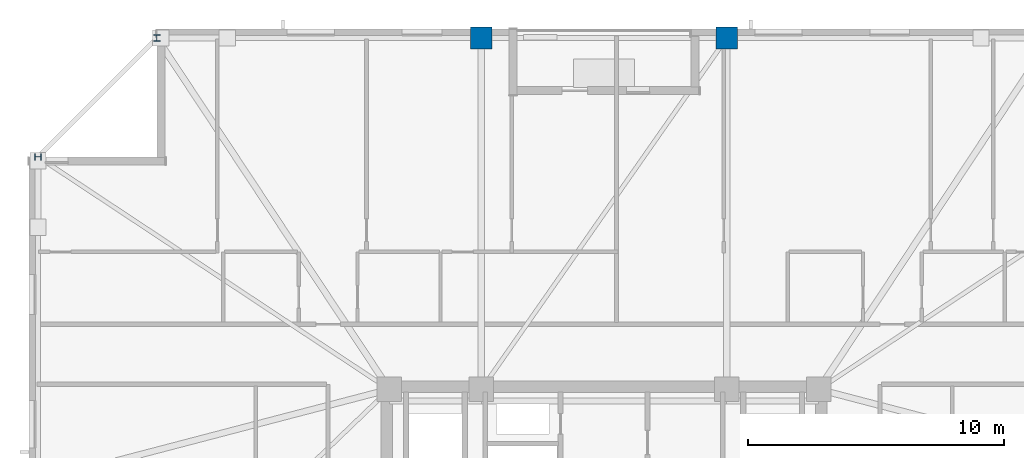
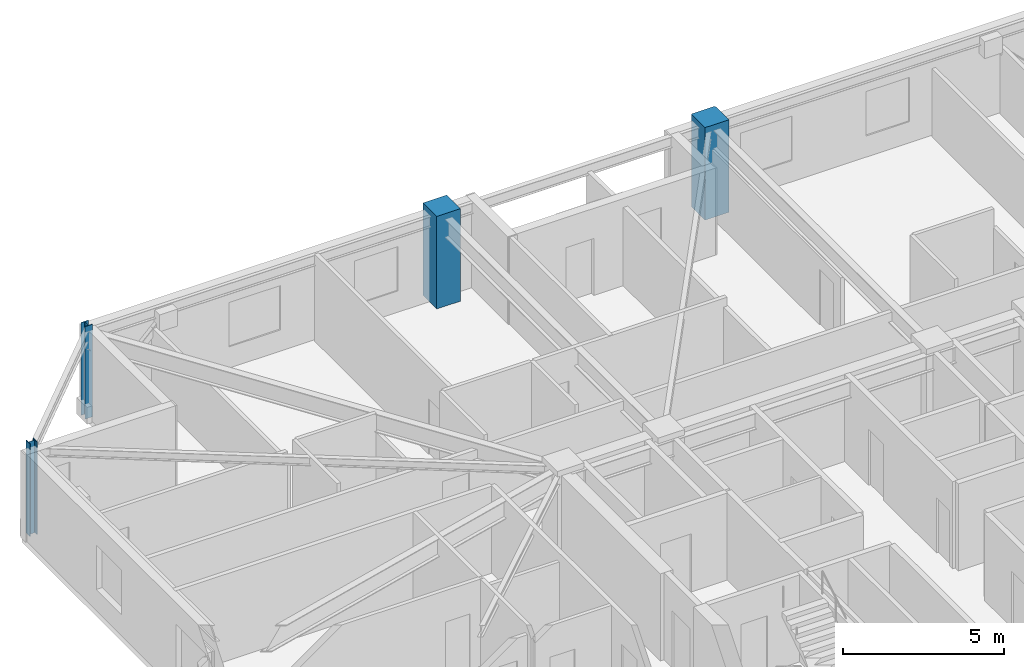
# One storey, part 4 of 17: 4 columns.
"""IFC4 building model written with IfcOpenShell, lengths in metres."""

from ifc_helpers import new_model, si_unit, direction, frame, origin, origin_2d, place, context, subcontext, project, spatial, rectangle, i_section, extrude, material, material_profile, profile_set, type_object, element, save


model = new_model("IFC4")

# Units and contexts
model_context = context("Model", 3, precision=1e-05, world=origin(), true_north=direction((0.0, 1.0)))
body_context = subcontext(model_context, "Body", "Model", "MODEL_VIEW")
ifc_project = project(units=[si_unit("LENGTHUNIT", "METRE"), si_unit("AREAUNIT", "SQUARE_METRE"), si_unit("VOLUMEUNIT", "CUBIC_METRE"), si_unit("PLANEANGLEUNIT", "RADIAN"), si_unit("MASSUNIT", "GRAM", prefix="KILO")], contexts=[model_context])

# Site, building, storey
site_placement = place(None, origin())
site = spatial("IfcSite", under=ifc_project, at=site_placement, CompositionType="ELEMENT")
building_placement = place(site_placement, origin())
building = spatial("IfcBuilding", under=site, at=building_placement, Name="Cairnveth Concourse Tower", CompositionType="ELEMENT")
storey_placement = place(building_placement, frame((0.0, 0.0, 209.5)))
storey = spatial("IfcBuildingStorey", under=building, at=storey_placement, Name="L57", CompositionType="ELEMENT", Elevation=209.5)

# Columns
ifc_material_1 = material(Name="Concrete N65 (65 MPa)", Category="concrete")
ifc_material_profile_1 = material_profile(ifc_material_1, rectangle(XDim=0.85009765625, YDim=0.85009765625, at=origin_2d()), Name="RC-COL-850x850")
ifc_profile_set_1 = profile_set([ifc_material_profile_1], Name="Concrete N65 (65 MPa)")
column_type_1 = type_object("IfcColumnType", Name="PERIMETER PIER COLUMN 850X850", PredefinedType="COLUMN", material=ifc_profile_set_1)
for number, where, z_axis, x_axis, name in (
    (1, (56.800048828125, 61.14990234375, 0.0), (0.0, 0.0, 1.0), (1.0, 0.0, 0.0), "Column P-N2 L57"),
    (2, (47.199951171875, 61.14990234375, 0.0), (0.0, 0.0, 1.0), (1.0, 0.0, 0.0), "Column P-N3 L57"),
):
    element("IfcColumn", number, at=place(storey_placement, frame(where, z_axis=z_axis, x_axis=x_axis)), inside=storey, type_object=column_type_1, Name=name, PredefinedType="COLUMN", context=body_context, shape_type="SweptSolid", body=[
        extrude(rectangle(XDim=0.85009765625, YDim=0.85009765625, at=origin_2d()), origin(), (0.0, 0.0, 1.0), 3.5),
    ])
ifc_material_2 = material(Name="Steel Grade 350", Category="steel")
ifc_material_profile_2 = material_profile(ifc_material_2, i_section(OverallWidth=0.256103515625, OverallDepth=0.260009765625, WebThickness=0.010498046875, FlangeThickness=0.017333984375, FilletRadius=0.012939453125, at=origin_2d()), Name="250UC89.5")
ifc_profile_set_2 = profile_set([ifc_material_profile_2], Name="Steel Grade 350")
column_type_2 = type_object("IfcColumnType", Name="UNIVERSAL STEEL COLUMN 250UC89.5", PredefinedType="COLUMN", material=ifc_profile_set_2)
for number, where, z_axis, x_axis, name in (
    (3, (34.5, 61.14990234375, 0.0), (0.0, 0.0, 1.0), (1.0, 0.0, 0.0), "Column P-N4 L57"),
    (4, (29.85009765625, 56.5, 0.0), (0.0, 0.0, 1.0), (0.0, 1.0, 0.0), "Column P-W1 L57"),
):
    element("IfcColumn", number, at=place(storey_placement, frame(where, z_axis=z_axis, x_axis=x_axis)), inside=storey, type_object=column_type_2, Name=name, PredefinedType="COLUMN", context=body_context, shape_type="SweptSolid", body=[
        extrude(i_section(OverallWidth=0.256103515625, OverallDepth=0.260009765625, WebThickness=0.010498046875, FlangeThickness=0.017333984375, FilletRadius=0.012939453125, at=origin_2d()), origin(), (0.0, 0.0, 1.0), 3.5),
    ])

save(model, "model.ifc")
